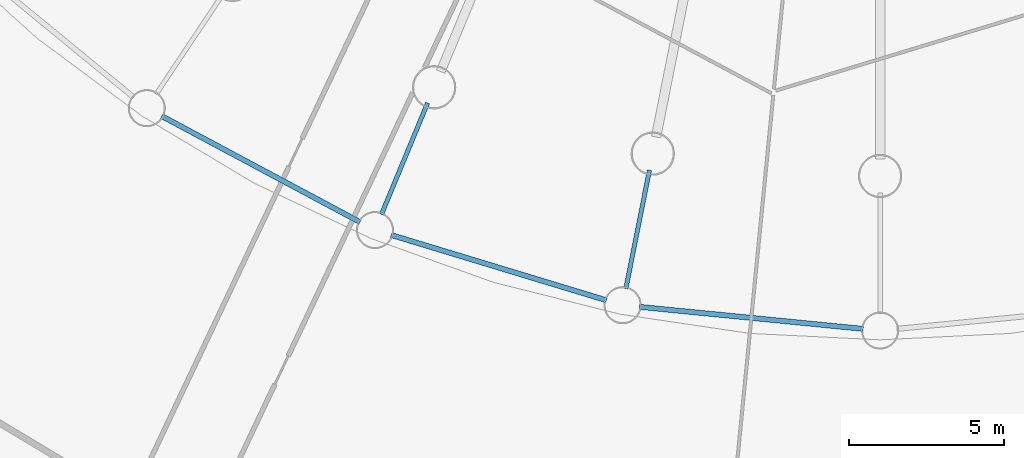
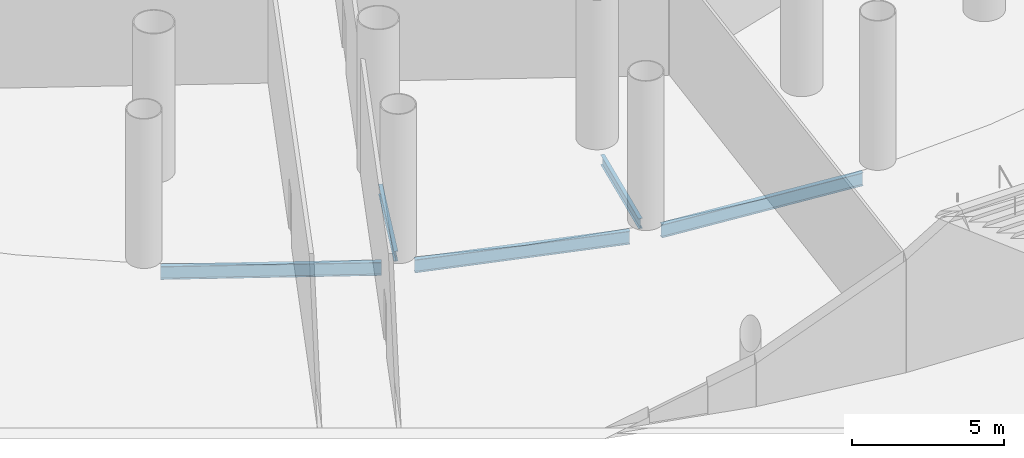
# One storey, part 5 of 33: 5 beams.
"""IFC4 building model written with IfcOpenShell, lengths in metres."""

from ifc_helpers import new_model, si_unit, direction, frame, origin, origin_2d, place, context, subcontext, project, spatial, i_section, extrude, material, material_profile, profile_set, type_object, element, save


model = new_model("IFC4")

# Units and contexts
model_context = context("Model", 3, precision=1e-05, world=origin(), true_north=direction((0.0, 1.0)))
body_context = subcontext(model_context, "Body", "Model", "MODEL_VIEW")
ifc_project = project(units=[si_unit("LENGTHUNIT", "METRE"), si_unit("AREAUNIT", "SQUARE_METRE"), si_unit("VOLUMEUNIT", "CUBIC_METRE"), si_unit("PLANEANGLEUNIT", "RADIAN"), si_unit("MASSUNIT", "GRAM", prefix="KILO")], contexts=[model_context])

# Site, building, storey
site_placement = place(None, origin())
site = spatial("IfcSite", under=ifc_project, at=site_placement, CompositionType="ELEMENT")
building_placement = place(site_placement, origin())
building = spatial("IfcBuilding", under=site, at=building_placement, Name="Corvane Civic Tower", CompositionType="ELEMENT")
storey_placement = place(building_placement, origin())
storey = spatial("IfcBuildingStorey", under=building, at=storey_placement, Name="G", CompositionType="ELEMENT", Elevation=0.0)

# Beams
ifc_material_1 = material(Name="Steel ASTM A992 Gr 50", Category="steel")
ifc_material_profile_1 = material_profile(ifc_material_1, i_section(OverallWidth=0.165771484375, OverallDepth=0.5283203125, WebThickness=0.009765625, FlangeThickness=0.013671875, at=origin_2d()), Name="W21X50")
ifc_profile_set_1 = profile_set([ifc_material_profile_1], Name="Steel ASTM A992 Gr 50")
beam_type_1 = type_object("IfcBeamType", Name="EDGE BEAM W21X50", PredefinedType="BEAM", material=ifc_profile_set_1)
for number, where, z_axis, x_axis, name in (
    (1, (-0.54736328125, -42.64599609375, -0.564208984375), (-0.995187967953, 0.097984225478, 0.0), (-0.097984225478, -0.995187967953, 0.0), "BM-G-E17"),
    (2, (-8.856689453125, -41.719970703125, -0.564208984375), (-0.956938225664, 0.290291633127, 0.0), (-0.290291633127, -0.956938225664, 0.0), "BM-G-E18"),
):
    element("IfcBeam", number, at=place(storey_placement, frame(where, z_axis=z_axis, x_axis=x_axis)), inside=storey, type_object=beam_type_1, Name=name, PredefinedType="BEAM", context=body_context, shape_type="SweptSolid", body=[
        extrude(i_section(OverallWidth=0.165771484375, OverallDepth=0.5283203125, WebThickness=0.009765625, FlangeThickness=0.013671875, at=origin_2d()), origin(), (0.0, 0.0, 1.0), 7.2705078125),
    ])
beam_placement = place(storey_placement, frame((-16.82568359375, -39.1904296875, -0.564208984375), z_axis=(-0.881912894916, 0.471412394598, 0.0), x_axis=(-0.471412394598, -0.881912894916, 0.0)))
element("IfcBeam", 3, at=beam_placement, inside=storey, type_object=beam_type_1, Name="BM-G-E19", PredefinedType="BEAM", context=body_context, shape_type="SweptSolid", body=[
    extrude(i_section(OverallWidth=0.165771484375, OverallDepth=0.5283203125, WebThickness=0.009765625, FlangeThickness=0.013671875, at=origin_2d()), origin(), (0.0, 0.0, 1.0), 7.270751953125),
])
ifc_material_2 = material(Name="Steel ASTM A992 Gr 50", Category="steel")
ifc_material_profile_2 = material_profile(ifc_material_2, i_section(OverallWidth=0.140380859375, OverallDepth=0.40380859375, WebThickness=0.007080078125, FlangeThickness=0.01123046875, at=origin_2d()), Name="W16X31")
ifc_profile_set_2 = profile_set([ifc_material_profile_2], Name="Steel ASTM A992 Gr 50")
beam_type_2 = type_object("IfcBeamType", Name="FLOOR GIRDER W16X31", PredefinedType="BEAM", material=ifc_profile_set_2)
for number, where, z_axis, x_axis, name in (
    (4, (-7.462158203125, -37.51513671875, -0.501953125), (-0.195128858343, -0.980777614264, 0.0), (0.980777614264, -0.195128858343, 0.0), "BM-G-G18b"),
    (5, (-14.6376953125, -35.33837890625, -0.501953125), (-0.382685369162, -0.923878730261, 0.0), (0.923878730261, -0.382685369162, 0.0), "BM-G-G19b"),
):
    element("IfcBeam", number, at=place(storey_placement, frame(where, z_axis=z_axis, x_axis=x_axis)), inside=storey, type_object=beam_type_2, Name=name, PredefinedType="BEAM", context=body_context, shape_type="SweptSolid", body=[
        extrude(i_section(OverallWidth=0.140380859375, OverallDepth=0.40380859375, WebThickness=0.007080078125, FlangeThickness=0.01123046875, at=origin_2d()), origin(), (0.0, 0.0, 1.0), 3.89990234375),
    ])

save(model, "model.ifc")
